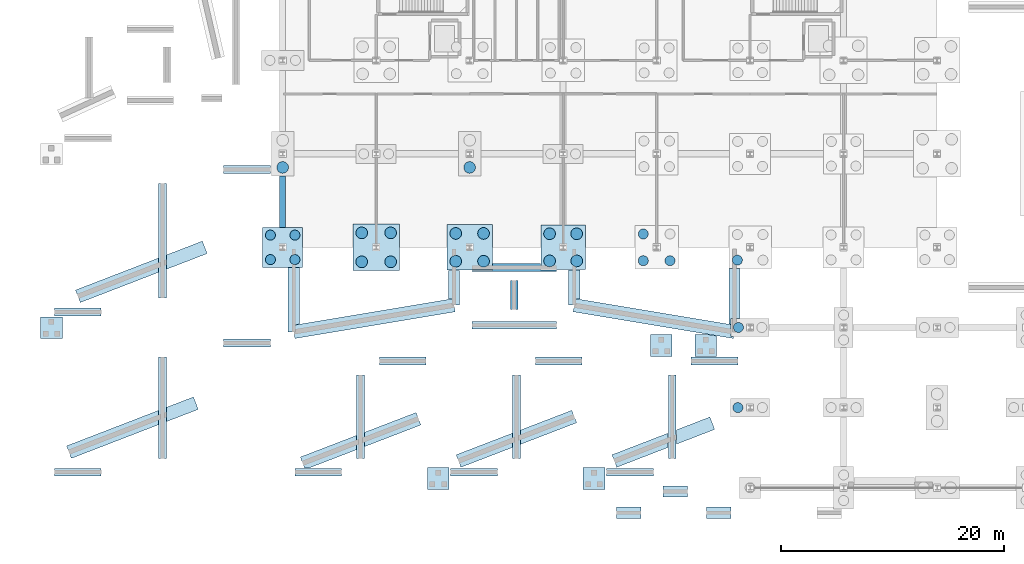
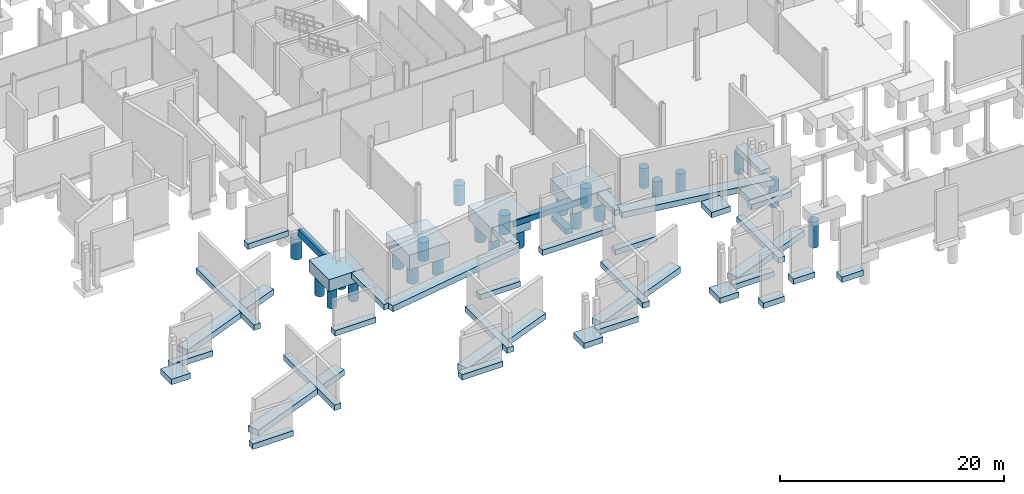
# One storey, part 1 of 61: 47 footings, 24 piles.
"""IFC4 building model written with IfcOpenShell, lengths in metres."""

import ifcopenshell
import ifcopenshell.guid

model = None  # the IFC model being written
_history = None  # IfcOwnerHistory: only IFC2X3 demands one
_inside = {}  # id of a spatial element -> (the spatial element, [elements in it])
_under = {}  # id of a project, library or spatial element -> (it, [spatial elements below it])
_declared = {}  # id of a project -> (the project, [libraries it declares])
_typed = {}  # id of a type object -> (the type object, [elements of that type])
_made_of = {}  # id of a material, layer set ... -> (it, [elements and type objects made of it])


def new_model(schema):
    """Start an empty IFC model of exactly this schema.

    Asked for "IFC4X3", IfcOpenShell would pick the latest addendum, in which some entities
    have other attributes; the version numbers below select the first issue.
    IFC2X3 requires an IfcOwnerHistory on every rooted entity: one is made here for all.
    """
    global model, _history
    if schema == "IFC4X3":
        model = ifcopenshell.file(schema_version=(4, 3, 0, 0))
    else:
        model = ifcopenshell.file(schema=schema)
    _inside.clear()
    _under.clear()
    _declared.clear()
    _typed.clear()
    _made_of.clear()
    _history = None
    if model.schema == "IFC2X3":
        org = make("IfcOrganization", Name="unknown")
        user = make(
            "IfcPersonAndOrganization",
            ThePerson=make("IfcPerson", FamilyName="unknown"),
            TheOrganization=org,
        )
        app = make(
            "IfcApplication",
            ApplicationDeveloper=org,
            Version="unknown",
            ApplicationFullName="unknown",
            ApplicationIdentifier="unknown",
        )
        _history = make(
            "IfcOwnerHistory",
            OwningUser=user,
            OwningApplication=app,
            ChangeAction="ADDED",
            CreationDate=0,
        )
    return model


def make(cls, **values):
    """One entity of the class cls with the attributes given. An attribute that is None is left unset."""
    return model.create_entity(
        cls, **{name: value for name, value in values.items() if value is not None}
    )


def rooted(cls, **values):
    """An entity with a GlobalId (a new one), such as an element, a storey or a relation."""
    return make(cls, GlobalId=ifcopenshell.guid.new(), OwnerHistory=_history, **values)


def si_unit(unit_type, name, prefix=None):
    """IfcSIUnit, for example si_unit("LENGTHUNIT", "METRE", prefix="MILLI")."""
    return make("IfcSIUnit", UnitType=unit_type, Prefix=prefix, Name=name)


def assignment(units):
    """IfcUnitAssignment: the units of a project."""
    return None if units is None else make("IfcUnitAssignment", Units=units)


def point(xyz):
    """IfcCartesianPoint."""
    return None if xyz is None else make("IfcCartesianPoint", Coordinates=xyz)


def direction(xyz):
    """IfcDirection."""
    return None if xyz is None else make("IfcDirection", DirectionRatios=xyz)


def frame(location, z_axis=None, x_axis=None):
    """IfcAxis2Placement3D, a coordinate frame: its origin and axes. An axis left out is left unset."""
    return make(
        "IfcAxis2Placement3D",
        Location=point(location),
        Axis=direction(z_axis),
        RefDirection=direction(x_axis),
    )


def frame_2d(location, x_axis=None):
    """IfcAxis2Placement2D, a coordinate frame in the plane: its origin and x axis."""
    return make(
        "IfcAxis2Placement2D", Location=point(location), RefDirection=direction(x_axis)
    )


def origin():
    """The frame at (0, 0, 0) with its axes left unset."""
    return frame((0.0, 0.0, 0.0))


def origin_2d():
    """The frame at (0, 0) in the plane with its x axis left unset."""
    return frame_2d((0.0, 0.0))


def place(relative_to, where):
    """IfcLocalPlacement: puts the frame where relative to a parent placement (None: the world)."""
    return make(
        "IfcLocalPlacement", PlacementRelTo=relative_to, RelativePlacement=where
    )


def context(
    kind, dimensions, precision=None, world=None, true_north=None, identifier=None
):
    """IfcGeometricRepresentationContext, for example the 3D "Model" context."""
    return make(
        "IfcGeometricRepresentationContext",
        ContextIdentifier=identifier,
        ContextType=kind,
        CoordinateSpaceDimension=dimensions,
        Precision=precision,
        WorldCoordinateSystem=world,
        TrueNorth=true_north,
    )


def subcontext(parent, identifier, kind, view, scale=None):
    """IfcGeometricRepresentationSubContext, for example "Body" below "Model"."""
    return make(
        "IfcGeometricRepresentationSubContext",
        ContextIdentifier=identifier,
        ContextType=kind,
        ParentContext=parent,
        TargetScale=scale,
        TargetView=view,
    )


def project(units=None, contexts=None):
    """IfcProject with its units and contexts."""
    return rooted(
        "IfcProject",
        Name="project",
        RepresentationContexts=contexts,
        UnitsInContext=assignment(units),
    )


def spatial(cls, under=None, at=None, **own):
    """A site, building, storey or space (cls), placed at a placement, below another one or the project."""
    s = rooted(cls, ObjectPlacement=at, **own)
    if under is not None:
        _under.setdefault(under.id(), (under, []))[1].append(s)
    return s


def polyline(points):
    """IfcPolyline through the points."""
    return make("IfcPolyline", Points=[point(p) for p in points])


def profile(cls, at=None, kind="AREA", **sizes):
    """A parametric profile (cls). Its sizes go by their IFC names, for example OverallWidth=200.0."""
    return make(cls, ProfileType=kind, Position=at, **sizes)


def rectangle(**sizes):
    """IfcRectangleProfileDef."""
    return profile("IfcRectangleProfileDef", **sizes)


def circle(**sizes):
    """IfcCircleProfileDef."""
    return profile("IfcCircleProfileDef", **sizes)


def outline(outer, holes=None, kind="AREA"):
    """IfcArbitraryClosedProfileDef: a profile drawn as a closed curve; with holes, ...WithVoids."""
    if holes is None:
        return make("IfcArbitraryClosedProfileDef", ProfileType=kind, OuterCurve=outer)
    return make(
        "IfcArbitraryProfileDefWithVoids",
        ProfileType=kind,
        OuterCurve=outer,
        InnerCurves=holes,
    )


def extrude(swept, where, along, depth):
    """IfcExtrudedAreaSolid: the profile swept, set in the frame where, extruded along a direction by depth."""
    return make(
        "IfcExtrudedAreaSolid",
        SweptArea=swept,
        Position=where,
        ExtrudedDirection=direction(along),
        Depth=depth,
    )


def shape(context_of_items, identifier, shape_type, items):
    """IfcShapeRepresentation: the items that make up one representation, for example the "Body"."""
    return make(
        "IfcShapeRepresentation",
        ContextOfItems=context_of_items,
        RepresentationIdentifier=identifier,
        RepresentationType=shape_type,
        Items=items,
    )


def material(Name=None, Category=None):
    """IfcMaterial."""
    return make("IfcMaterial", Name=Name, Category=Category)


def material_profile(
    of_material, cross_section, Name=None, Category=None, Priority=None
):
    """IfcMaterialProfile: a cross section and its material."""
    return make(
        "IfcMaterialProfile",
        Name=Name,
        Material=of_material,
        Profile=cross_section,
        Priority=Priority,
        Category=Category,
    )


def profile_set(profiles, Name=None, composite=None):
    """IfcMaterialProfileSet."""
    return make(
        "IfcMaterialProfileSet",
        Name=Name,
        MaterialProfiles=profiles,
        CompositeProfile=composite,
    )


def made_of(thing, what):
    """Note that an element or type object is made of a material, layer set ...; save() writes the relation."""
    if what is not None:
        _made_of.setdefault(what.id(), (what, []))[1].append(thing)
    return thing


def type_object(cls, material=None, **own):
    """A type object (cls), such as IfcWallType, which elements share."""
    return made_of(rooted(cls, **own), material)


def element(
    cls,
    number,
    at=None,
    inside=None,
    cuts=None,
    type_object=None,
    material=None,
    context=None,
    identifier="Body",
    shape_type=None,
    held_by="IfcProductDefinitionShape",
    body=None,
    shapes=None,
    **own,
):
    """One element of the class cls, such as IfcWall. Its Tag is "e" and its number.

    at: its placement. inside: the storey or other place that contains it. cuts: it is an
    opening in that element (IfcRelVoidsElement). A single representation is given by context,
    identifier, shape_type and body (its items); several are given by shapes. held_by: the class
    of the entity that holds the representations. save() writes the other relations.
    """
    e = rooted(cls, Tag="e%d" % number, ObjectPlacement=at, **own)
    if body is not None:
        shapes = [shape(context, identifier, shape_type, body)]
    if shapes is not None:
        e.Representation = make(held_by, Representations=shapes)
    if inside is not None:
        _inside.setdefault(inside.id(), (inside, []))[1].append(e)
    if cuts is not None:
        rooted(
            "IfcRelVoidsElement", RelatingBuildingElement=cuts, RelatedOpeningElement=e
        )
    if type_object is not None:
        _typed.setdefault(type_object.id(), (type_object, []))[1].append(e)
    return made_of(e, material)


def aggregate(whole, parts):
    """IfcRelAggregates: a whole, such as a stair, and the parts it consists of."""
    return rooted("IfcRelAggregates", RelatingObject=whole, RelatedObjects=parts)


def save(model, path):
    """Write the relations noted so far, then the file.

    IfcRelAggregates (storeys below a building ...), IfcRelContainedInSpatialStructure (elements
    in a storey), IfcRelDefinesByType, IfcRelAssociatesMaterial and IfcRelDeclares: one each for
    every whole, place, type object, material and project.
    """
    for whole, parts in _under.values():
        aggregate(whole, parts)
    for where, things in _inside.values():
        rooted(
            "IfcRelContainedInSpatialStructure",
            RelatedElements=things,
            RelatingStructure=where,
        )
    for kind, things in _typed.values():
        rooted("IfcRelDefinesByType", RelatedObjects=things, RelatingType=kind)
    for what, things in _made_of.values():
        rooted("IfcRelAssociatesMaterial", RelatedObjects=things, RelatingMaterial=what)
    for by, libraries in _declared.values():
        rooted("IfcRelDeclares", RelatingContext=by, RelatedDefinitions=libraries)
    model.write(path)


model = new_model("IFC4")

# Units and contexts
model_context = context("Model", 3, precision=1e-05, world=origin(), true_north=direction((0.0, 1.0)))
body_context = subcontext(model_context, "Body", "Model", "MODEL_VIEW")
ifc_project = project(units=[si_unit("LENGTHUNIT", "METRE"), si_unit("AREAUNIT", "SQUARE_METRE"), si_unit("VOLUMEUNIT", "CUBIC_METRE"), si_unit("PLANEANGLEUNIT", "RADIAN"), si_unit("MASSUNIT", "GRAM", prefix="KILO")], contexts=[model_context])

# Site, building, storey
site_placement = place(None, origin())
site = spatial("IfcSite", under=ifc_project, at=site_placement, CompositionType="ELEMENT")
building_placement = place(site_placement, origin())
building = spatial("IfcBuilding", under=site, at=building_placement, Name="Calvrana Isthmian Art Gallery", CompositionType="ELEMENT")
storey_placement = place(building_placement, frame((0.0, 0.0, -5.39990234375)))
storey = spatial("IfcBuildingStorey", under=building, at=storey_placement, Name="B1", CompositionType="ELEMENT", Elevation=-5.39990234375)

# Footings
ifc_material = material(Name="Concrete C35/45", Category="concrete")
footing_type_1 = type_object("IfcFootingType", Name="FT-PAD-RAMP", PredefinedType="PAD_FOOTING", material=ifc_material)
footing_1_placement = place(storey_placement, frame((0.0, 0.0, -1.050048828125)))
element("IfcFooting", 1, at=footing_1_placement, inside=storey, type_object=footing_type_1, Name="Ramp RMP-01 landing pad footing", PredefinedType="PAD_FOOTING", context=body_context, shape_type="SweptSolid", body=[
    extrude(outline(polyline([(1.800048828125, 13.39990234375), (1.800048828125, 15.35009765625), (-0.14990234375, 15.35009765625), (-0.14990234375, 13.39990234375), (1.800048828125, 13.39990234375)])), origin(), (0.0, 0.0, 1.0), 0.599853515625),
])
footing_2_placement = place(storey_placement, frame((0.0, 0.0, -1.050048828125)))
element("IfcFooting", 2, at=footing_2_placement, inside=storey, type_object=footing_type_1, Name="Ramp RMP-03 landing pad footing", PredefinedType="PAD_FOOTING", context=body_context, shape_type="SweptSolid", body=[
    extrude(outline(polyline([(36.550048828125, -0.14990234375), (36.550048828125, 1.800048828125), (34.60009765625, 1.800048828125), (34.60009765625, -0.14990234375), (36.550048828125, -0.14990234375)])), origin(), (0.0, 0.0, 1.0), 0.599853515625),
])
footing_3_placement = place(storey_placement, frame((0.0, 0.0, -1.050048828125)))
element("IfcFooting", 3, at=footing_3_placement, inside=storey, type_object=footing_type_1, Name="Ramp RMP-04 landing pad footing", PredefinedType="PAD_FOOTING", context=body_context, shape_type="SweptSolid", body=[
    extrude(outline(polyline([(50.550048828125, -0.14990234375), (50.550048828125, 1.800048828125), (48.60009765625, 1.800048828125), (48.60009765625, -0.14990234375), (50.550048828125, -0.14990234375)])), origin(), (0.0, 0.0, 1.0), 0.599853515625),
])
footing_4_placement = place(storey_placement, frame((0.0, 0.0, -1.050048828125)))
element("IfcFooting", 4, at=footing_4_placement, inside=storey, type_object=footing_type_1, Name="Ramp RMP-05 landing pad footing", PredefinedType="PAD_FOOTING", context=body_context, shape_type="SweptSolid", body=[
    extrude(outline(polyline([(60.60009765625, 11.800048828125), (58.64990234375, 11.800048828125), (58.64990234375, 13.75), (59.928955078125, 13.75), (60.60009765625, 13.63818359375), (60.60009765625, 11.800048828125)])), origin(), (0.0, 0.0, 1.0), 0.599853515625),
])
footing_5_placement = place(storey_placement, frame((0.0, 0.0, -1.050048828125)))
element("IfcFooting", 5, at=footing_5_placement, inside=storey, type_object=footing_type_1, Name="Ramp RMP-06 landing pad footing", PredefinedType="PAD_FOOTING", context=body_context, shape_type="SweptSolid", body=[
    extrude(outline(polyline([(56.60009765625, 11.800048828125), (56.60009765625, 13.75), (54.64990234375, 13.75), (54.64990234375, 11.800048828125), (56.60009765625, 11.800048828125)])), origin(), (0.0, 0.0, 1.0), 0.599853515625),
])
footing_type_2 = type_object("IfcFootingType", Name="FT-PC-360X360X130", PredefinedType="PILE_CAP", material=ifc_material)
footing_6_placement = place(storey_placement, frame((21.60009765625, 21.60009765625, -1.75), z_axis=(0.0, 0.0, 1.0), x_axis=(1.0, 0.0, 0.0)))
element("IfcFooting", 6, at=footing_6_placement, inside=storey, type_object=footing_type_2, Name="Pile cap 04/D", PredefinedType="PILE_CAP", context=body_context, shape_type="SweptSolid", body=[
    extrude(rectangle(XDim=3.60009765625, YDim=3.60009765625, at=origin_2d()), origin(), (0.0, 0.0, 1.0), 1.300048828125),
])
footing_type_3 = type_object("IfcFootingType", Name="FT-PC-400X400X150", PredefinedType="PILE_CAP", material=ifc_material)
footing_7_placement = place(storey_placement, frame((46.800048828125, 21.60009765625, -1.9501953125), z_axis=(0.0, 0.0, 1.0), x_axis=(1.0, 0.0, 0.0)))
element("IfcFooting", 7, at=footing_7_placement, inside=storey, type_object=footing_type_3, Name="Pile cap 07/D", PredefinedType="PILE_CAP", context=body_context, shape_type="SweptSolid", body=[
    extrude(rectangle(XDim=4.0, YDim=4.0, at=origin_2d()), origin(), (0.0, 0.0, 1.0), 1.5),
])
footing_type_4 = type_object("IfcFootingType", Name="FT-PC-410X410X155", PredefinedType="PILE_CAP", material=ifc_material)
footing_8_placement = place(storey_placement, frame((38.39990234375, 21.60009765625, -2.0), z_axis=(0.0, 0.0, 1.0), x_axis=(1.0, 0.0, 0.0)))
element("IfcFooting", 8, at=footing_8_placement, inside=storey, type_object=footing_type_4, Name="Pile cap 06/D", PredefinedType="PILE_CAP", context=body_context, shape_type="SweptSolid", body=[
    extrude(rectangle(XDim=4.10009765625, YDim=4.10009765625, at=origin_2d()), origin(), (0.0, 0.0, 1.0), 1.550048828125),
])
footing_type_5 = type_object("IfcFootingType", Name="FT-PC-420X420X160", PredefinedType="PILE_CAP", material=ifc_material)
footing_9_placement = place(storey_placement, frame((30.0, 21.60009765625, -2.050048828125), z_axis=(0.0, 0.0, 1.0), x_axis=(1.0, 0.0, 0.0)))
element("IfcFooting", 9, at=footing_9_placement, inside=storey, type_object=footing_type_5, Name="Pile cap 05/D", PredefinedType="PILE_CAP", context=body_context, shape_type="SweptSolid", body=[
    extrude(rectangle(XDim=4.199951171875, YDim=4.199951171875, at=origin_2d()), origin(), (0.0, 0.0, 1.0), 1.60009765625),
])
footing_type_6 = type_object("IfcFootingType", Name="FT-SF-1000X600", PredefinedType="STRIP_FOOTING", material=ifc_material)
footing_10_placement = place(storey_placement, frame((0.0, 0.0, -1.050048828125)))
element("IfcFooting", 10, at=footing_10_placement, inside=storey, type_object=footing_type_6, Name="Hillside court support wall COURT_STEP_1-S strip footing", PredefinedType="STRIP_FOOTING", context=body_context, shape_type="SweptSolid", body=[
    extrude(outline(polyline([(1.10009765625, 1.050048828125), (5.300048828125, 1.050048828125), (5.300048828125, 1.75), (1.10009765625, 1.75), (1.10009765625, 1.050048828125)])), origin(), (0.0, 0.0, 1.0), 0.599853515625),
])
footing_11_placement = place(storey_placement, frame((0.0, 0.0, -1.050048828125)))
element("IfcFooting", 11, at=footing_11_placement, inside=storey, type_object=footing_type_6, Name="Hillside court support wall COURT_STEP_1-N strip footing", PredefinedType="STRIP_FOOTING", context=body_context, shape_type="SweptSolid", body=[
    extrude(outline(polyline([(16.300048828125, 12.64990234375), (20.5, 12.64990234375), (20.5, 13.35009765625), (16.300048828125, 13.35009765625), (16.300048828125, 12.64990234375)])), origin(), (0.0, 0.0, 1.0), 0.599853515625),
])
footing_12_placement = place(storey_placement, frame((0.0, 0.0, -1.050048828125)))
element("IfcFooting", 12, at=footing_12_placement, inside=storey, type_object=footing_type_6, Name="Hillside court support wall COURT_STEP_1-M strip footing", PredefinedType="STRIP_FOOTING", context=body_context, shape_type="SweptSolid", body=[
    extrude(outline(polyline([(11.14990234375, 2.64990234375), (11.14990234375, 11.75), (10.449951171875, 11.75), (10.449951171875, 2.64990234375), (11.14990234375, 2.64990234375)])), origin(), (0.0, 0.0, 1.0), 0.599853515625),
])
footing_13_placement = place(storey_placement, frame((0.0, 0.0, -1.050048828125)))
element("IfcFooting", 13, at=footing_13_placement, inside=storey, type_object=footing_type_6, Name="Hillside court support wall COURT_STEP_2W-S strip footing", PredefinedType="STRIP_FOOTING", context=body_context, shape_type="SweptSolid", body=[
    extrude(outline(polyline([(1.10009765625, 15.449951171875), (5.300048828125, 15.449951171875), (5.300048828125, 16.14990234375), (1.10009765625, 16.14990234375), (1.10009765625, 15.449951171875)])), origin(), (0.0, 0.0, 1.0), 0.599853515625),
])
footing_14_placement = place(storey_placement, frame((0.0, 0.0, -1.050048828125)))
element("IfcFooting", 14, at=footing_14_placement, inside=storey, type_object=footing_type_6, Name="Hillside court support wall COURT_STEP_2W-N strip footing", PredefinedType="STRIP_FOOTING", context=body_context, shape_type="SweptSolid", body=[
    extrude(outline(polyline([(16.300048828125, 28.25), (20.5, 28.25), (20.5, 28.949951171875), (16.300048828125, 28.949951171875), (16.300048828125, 28.25)])), origin(), (0.0, 0.0, 1.0), 0.599853515625),
])
footing_15_placement = place(storey_placement, frame((0.0, 0.0, -1.050048828125)))
element("IfcFooting", 15, at=footing_15_placement, inside=storey, type_object=footing_type_6, Name="Hillside court support wall COURT_STEP_2W-M strip footing", PredefinedType="STRIP_FOOTING", context=body_context, shape_type="SweptSolid", body=[
    extrude(outline(polyline([(11.14990234375, 17.050048828125), (11.14990234375, 27.35009765625), (10.449951171875, 27.35009765625), (10.449951171875, 17.050048828125), (11.14990234375, 17.050048828125)])), origin(), (0.0, 0.0, 1.0), 0.599853515625),
])
footing_16_placement = place(storey_placement, frame((0.0, 0.0, -1.050048828125)))
element("IfcFooting", 16, at=footing_16_placement, inside=storey, type_object=footing_type_6, Name="Hillside court support wall COURT_STEP_2S-S strip footing", PredefinedType="STRIP_FOOTING", context=body_context, shape_type="SweptSolid", body=[
    extrude(outline(polyline([(22.699951171875, 1.050048828125), (26.89990234375, 1.050048828125), (26.89990234375, 1.75), (22.699951171875, 1.75), (22.699951171875, 1.050048828125)])), origin(), (0.0, 0.0, 1.0), 0.599853515625),
])
footing_17_placement = place(storey_placement, frame((0.0, 0.0, -1.050048828125)))
element("IfcFooting", 17, at=footing_17_placement, inside=storey, type_object=footing_type_6, Name="Hillside court support wall COURT_STEP_2S-N strip footing", PredefinedType="STRIP_FOOTING", context=body_context, shape_type="SweptSolid", body=[
    extrude(outline(polyline([(30.300048828125, 11.050048828125), (34.5, 11.050048828125), (34.5, 11.75), (30.300048828125, 11.75), (30.300048828125, 11.050048828125)])), origin(), (0.0, 0.0, 1.0), 0.599853515625),
])
footing_18_placement = place(storey_placement, frame((0.0, 0.0, -1.050048828125)))
element("IfcFooting", 18, at=footing_18_placement, inside=storey, type_object=footing_type_6, Name="Hillside court support wall COURT_STEP_2S-M strip footing", PredefinedType="STRIP_FOOTING", context=body_context, shape_type="SweptSolid", body=[
    extrude(outline(polyline([(28.949951171875, 2.64990234375), (28.949951171875, 10.14990234375), (28.25, 10.14990234375), (28.25, 2.64990234375), (28.949951171875, 2.64990234375)])), origin(), (0.0, 0.0, 1.0), 0.599853515625),
])
footing_19_placement = place(storey_placement, frame((0.0, 0.0, -1.050048828125)))
element("IfcFooting", 19, at=footing_19_placement, inside=storey, type_object=footing_type_6, Name="Hillside court support wall COURT_STEP_3S-S strip footing", PredefinedType="STRIP_FOOTING", context=body_context, shape_type="SweptSolid", body=[
    extrude(outline(polyline([(36.699951171875, 1.050048828125), (40.89990234375, 1.050048828125), (40.89990234375, 1.75), (36.699951171875, 1.75), (36.699951171875, 1.050048828125)])), origin(), (0.0, 0.0, 1.0), 0.599853515625),
])
footing_20_placement = place(storey_placement, frame((0.0, 0.0, -1.050048828125)))
element("IfcFooting", 20, at=footing_20_placement, inside=storey, type_object=footing_type_6, Name="Hillside court support wall COURT_STEP_3S-N strip footing", PredefinedType="STRIP_FOOTING", context=body_context, shape_type="SweptSolid", body=[
    extrude(outline(polyline([(44.300048828125, 11.050048828125), (48.5, 11.050048828125), (48.5, 11.75), (44.300048828125, 11.75), (44.300048828125, 11.050048828125)])), origin(), (0.0, 0.0, 1.0), 0.599853515625),
])
footing_21_placement = place(storey_placement, frame((0.0, 0.0, -1.050048828125)))
element("IfcFooting", 21, at=footing_21_placement, inside=storey, type_object=footing_type_6, Name="Hillside court support wall COURT_STEP_3S-M strip footing", PredefinedType="STRIP_FOOTING", context=body_context, shape_type="SweptSolid", body=[
    extrude(outline(polyline([(42.949951171875, 2.64990234375), (42.949951171875, 10.14990234375), (42.25, 10.14990234375), (42.25, 2.64990234375), (42.949951171875, 2.64990234375)])), origin(), (0.0, 0.0, 1.0), 0.599853515625),
])
footing_22_placement = place(storey_placement, frame((0.0, 0.0, -1.050048828125)))
element("IfcFooting", 22, at=footing_22_placement, inside=storey, type_object=footing_type_6, Name="Hillside court support wall COURT_STEP_4S-S strip footing", PredefinedType="STRIP_FOOTING", context=body_context, shape_type="SweptSolid", body=[
    extrude(outline(polyline([(50.699951171875, 1.050048828125), (54.89990234375, 1.050048828125), (54.89990234375, 1.75), (50.699951171875, 1.75), (50.699951171875, 1.050048828125)])), origin(), (0.0, 0.0, 1.0), 0.599853515625),
])
footing_23_placement = place(storey_placement, frame((0.0, 0.0, -1.050048828125)))
element("IfcFooting", 23, at=footing_23_placement, inside=storey, type_object=footing_type_6, Name="Hillside court support wall COURT_STEP_4S-N strip footing", PredefinedType="STRIP_FOOTING", context=body_context, shape_type="SweptSolid", body=[
    extrude(outline(polyline([(58.300048828125, 11.050048828125), (62.5, 11.050048828125), (62.5, 11.75), (58.300048828125, 11.75), (58.300048828125, 11.050048828125)])), origin(), (0.0, 0.0, 1.0), 0.599853515625),
])
footing_24_placement = place(storey_placement, frame((0.0, 0.0, -1.050048828125)))
element("IfcFooting", 24, at=footing_24_placement, inside=storey, type_object=footing_type_6, Name="Hillside court support wall COURT_STEP_4S-M strip footing", PredefinedType="STRIP_FOOTING", context=body_context, shape_type="SweptSolid", body=[
    extrude(outline(polyline([(56.949951171875, 2.64990234375), (56.949951171875, 10.14990234375), (56.25, 10.14990234375), (56.25, 2.64990234375), (56.949951171875, 2.64990234375)])), origin(), (0.0, 0.0, 1.0), 0.599853515625),
])
footing_25_placement = place(storey_placement, frame((0.0, 0.0, -1.050048828125)))
element("IfcFooting", 25, at=footing_25_placement, inside=storey, type_object=footing_type_6, Name="Hillside court support wall COURT_STEP_5S-S strip footing", PredefinedType="STRIP_FOOTING", context=body_context, shape_type="SweptSolid", body=[
    extrude(outline(polyline([(38.60009765625, 14.25), (46.199951171875, 14.25), (46.199951171875, 14.949951171875), (38.60009765625, 14.949951171875), (38.60009765625, 14.25)])), origin(), (0.0, 0.0, 1.0), 0.599853515625),
])
footing_26_placement = place(storey_placement, frame((0.0, 0.0, -1.050048828125)))
element("IfcFooting", 26, at=footing_26_placement, inside=storey, type_object=footing_type_6, Name="Hillside court support wall COURT_STEP_5S-N strip footing", PredefinedType="STRIP_FOOTING", context=body_context, shape_type="SweptSolid", body=[
    extrude(outline(polyline([(46.199951171875, 19.449951171875), (38.60009765625, 19.449951171875), (38.60009765625, 19.534912109375), (40.465087890625, 19.534912109375), (40.465087890625, 20.14990234375), (44.784912109375, 20.14990234375), (44.784912109375, 19.5849609375), (46.199951171875, 19.5849609375), (46.199951171875, 19.449951171875)])), origin(), (0.0, 0.0, 1.0), 0.599853515625),
])
footing_27_placement = place(storey_placement, frame((0.0, 0.0, -1.050048828125)))
element("IfcFooting", 27, at=footing_27_placement, inside=storey, type_object=footing_type_6, Name="Hillside court support wall COURT_STEP_5S-M strip footing", PredefinedType="STRIP_FOOTING", context=body_context, shape_type="SweptSolid", body=[
    extrude(outline(polyline([(42.75, 16.0), (42.75, 18.60009765625), (42.050048828125, 18.60009765625), (42.050048828125, 16.0), (42.75, 16.0)])), origin(), (0.0, 0.0, 1.0), 0.599853515625),
])
footing_28_placement = place(storey_placement, frame((0.0, 0.0, -1.050048828125)))
element("IfcFooting", 28, at=footing_28_placement, inside=storey, type_object=footing_type_6, Name="Sunken base return foundation wall PAV_EDU_SW-1 strip footing", PredefinedType="STRIP_FOOTING", context=body_context, shape_type="SweptSolid", body=[
    extrude(outline(polyline([(22.10009765625, 14.0), (22.10009765625, 19.784912109375), (23.10009765625, 19.784912109375), (23.10009765625, 14.706787109375), (22.484130859375, 14.60400390625), (22.584716796875, 14.0), (22.10009765625, 14.0)])), origin(), (0.0, 0.0, 1.0), 0.599853515625),
])
footing_29_placement = place(storey_placement, frame((0.0, 0.0, -1.050048828125)))
element("IfcFooting", 29, at=footing_29_placement, inside=storey, type_object=footing_type_6, Name="Sunken base return foundation wall PAV_EDU_SW-2 strip footing", PredefinedType="STRIP_FOOTING", context=body_context, shape_type="SweptSolid", body=[
    extrude(outline(polyline([(37.01513671875, 16.39990234375), (36.913818359375, 17.009033203125), (36.5, 16.940185546875), (36.5, 19.534912109375), (37.5, 19.534912109375), (37.5, 16.39990234375), (37.01513671875, 16.39990234375)])), origin(), (0.0, 0.0, 1.0), 0.599853515625),
])
footing_30_placement = place(storey_placement, frame((0.0, 0.0, -1.050048828125)))
element("IfcFooting", 30, at=footing_30_placement, inside=storey, type_object=footing_type_6, Name="Sunken base return foundation wall PAV_EDU_SE-1 strip footing", PredefinedType="STRIP_FOOTING", context=body_context, shape_type="SweptSolid", body=[
    extrude(outline(polyline([(47.300048828125, 16.39990234375), (47.300048828125, 19.5849609375), (48.300048828125, 19.5849609375), (48.300048828125, 16.940185546875), (47.88623046875, 17.009033203125), (47.784912109375, 16.39990234375), (47.300048828125, 16.39990234375)])), origin(), (0.0, 0.0, 1.0), 0.599853515625),
])
footing_31_placement = place(storey_placement, frame((0.0, 0.0, -1.050048828125)))
element("IfcFooting", 31, at=footing_31_placement, inside=storey, type_object=footing_type_6, Name="Sunken base return foundation wall PAV_EDU_SE-2 strip footing", PredefinedType="STRIP_FOOTING", context=body_context, shape_type="SweptSolid", body=[
    extrude(outline(polyline([(62.699951171875, 19.68505859375), (62.699951171875, 15.215087890625), (61.885009765625, 15.215087890625), (61.885009765625, 14.67578125), (61.699951171875, 14.706787109375), (61.699951171875, 19.68505859375), (62.699951171875, 19.68505859375)])), origin(), (0.0, 0.0, 1.0), 0.599853515625),
])
footing_32_placement = place(storey_placement, frame((0.0, 0.0, -1.050048828125)))
element("IfcFooting", 32, at=footing_32_placement, inside=storey, type_object=footing_type_6, Name="Apron grade wall SLB_APR_SW_BENCH-A strip footing", PredefinedType="STRIP_FOOTING", context=body_context, shape_type="SweptSolid", body=[
    extrude(outline(polyline([(51.580078125, -2.75), (53.780029296875, -2.75), (53.780029296875, -1.75), (51.580078125, -1.75), (51.580078125, -2.75)])), origin(), (0.0, 0.0, 1.0), 0.599853515625),
])
footing_33_placement = place(storey_placement, frame((0.0, 0.0, -1.050048828125)))
element("IfcFooting", 33, at=footing_33_placement, inside=storey, type_object=footing_type_6, Name="Apron grade wall SLB_APR_SW_BENCH-B strip footing", PredefinedType="STRIP_FOOTING", context=body_context, shape_type="SweptSolid", body=[
    extrude(outline(polyline([(55.780029296875, -0.85009765625), (57.97998046875, -0.85009765625), (57.97998046875, 0.14990234375), (55.780029296875, 0.14990234375), (55.780029296875, -0.85009765625)])), origin(), (0.0, 0.0, 1.0), 0.599853515625),
])
footing_34_placement = place(storey_placement, frame((0.0, 0.0, -1.050048828125)))
element("IfcFooting", 34, at=footing_34_placement, inside=storey, type_object=footing_type_6, Name="Apron grade wall SLB_APR_SW_BENCH-C strip footing", PredefinedType="STRIP_FOOTING", context=body_context, shape_type="SweptSolid", body=[
    extrude(outline(polyline([(59.699951171875, -2.75), (61.89990234375, -2.75), (61.89990234375, -1.75), (59.699951171875, -1.75), (59.699951171875, -2.75)])), origin(), (0.0, 0.0, 1.0), 0.599853515625),
])
footing_type_7 = type_object("IfcFootingType", Name="FT-SF-1200X650", PredefinedType="STRIP_FOOTING", material=ifc_material)
footing_35_placement = place(storey_placement, frame((0.0, 0.0, -1.10009765625)))
element("IfcFooting", 35, at=footing_35_placement, inside=storey, type_object=footing_type_7, Name="Angled base foundation wall ACW-01 strip footing", PredefinedType="STRIP_FOOTING", context=body_context, shape_type="SweptSolid", body=[
    extrude(outline(polyline([(22.698486328125, 13.408203125), (37.0986328125, 15.80810546875), (36.9013671875, 16.99169921875), (22.50146484375, 14.591796875), (22.698486328125, 13.408203125)])), origin(), (0.0, 0.0, 1.0), 0.64990234375),
])
footing_36_placement = place(storey_placement, frame((0.0, 0.0, -1.10009765625)))
element("IfcFooting", 36, at=footing_36_placement, inside=storey, type_object=footing_type_7, Name="Angled base foundation wall ACW-02 strip footing", PredefinedType="STRIP_FOOTING", context=body_context, shape_type="SweptSolid", body=[
    extrude(outline(polyline([(62.101318359375, 13.408203125), (47.701416015625, 15.80810546875), (47.898681640625, 16.99169921875), (61.885009765625, 14.66064453125), (61.885009765625, 13.5849609375), (62.130859375, 13.5849609375), (62.101318359375, 13.408203125)])), origin(), (0.0, 0.0, 1.0), 0.64990234375),
])
footing_37_placement = place(storey_placement, frame((0.0, 0.0, -1.10009765625)))
element("IfcFooting", 37, at=footing_37_placement, inside=storey, type_object=footing_type_7, Name="Angled court foundation wall ACW-04 strip footing", PredefinedType="STRIP_FOOTING", context=body_context, shape_type="SweptSolid", body=[
    extrude(outline(polyline([(2.615966796875, 2.64013671875), (2.18408203125, 3.759765625), (10.43505859375, 6.9443359375), (10.43505859375, 5.658203125), (2.615966796875, 2.64013671875)])), origin(), (0.0, 0.0, 1.0), 0.64990234375),
])
footing_38_placement = place(storey_placement, frame((0.0, 0.0, -1.10009765625)))
element("IfcFooting", 38, at=footing_38_placement, inside=storey, type_object=footing_type_7, Name="Angled court foundation wall ACW-04 strip footing part 2", PredefinedType="STRIP_FOOTING", context=body_context, shape_type="SweptSolid", body=[
    extrude(outline(polyline([(13.583984375, 8.159912109375), (14.01611328125, 7.040283203125), (11.1650390625, 5.939697265625), (11.1650390625, 7.226318359375), (13.583984375, 8.159912109375)])), origin(), (0.0, 0.0, 1.0), 0.64990234375),
])
footing_39_placement = place(storey_placement, frame((0.0, 0.0, -1.10009765625)))
element("IfcFooting", 39, at=footing_39_placement, inside=storey, type_object=footing_type_7, Name="Angled court foundation wall ACW-05 strip footing", PredefinedType="STRIP_FOOTING", context=body_context, shape_type="SweptSolid", body=[
    extrude(outline(polyline([(3.416015625, 16.64013671875), (2.98388671875, 17.759765625), (10.43505859375, 20.635498046875), (10.43505859375, 19.349365234375), (3.416015625, 16.64013671875)])), origin(), (0.0, 0.0, 1.0), 0.64990234375),
])
footing_40_placement = place(storey_placement, frame((0.0, 0.0, -1.10009765625)))
element("IfcFooting", 40, at=footing_40_placement, inside=storey, type_object=footing_type_7, Name="Angled court foundation wall ACW-05 strip footing part 2", PredefinedType="STRIP_FOOTING", context=body_context, shape_type="SweptSolid", body=[
    extrude(outline(polyline([(14.384033203125, 22.159912109375), (14.81591796875, 21.040283203125), (11.1650390625, 19.631103515625), (11.1650390625, 20.91748046875), (14.384033203125, 22.159912109375)])), origin(), (0.0, 0.0, 1.0), 0.64990234375),
])
footing_41_placement = place(storey_placement, frame((0.0, 0.0, -1.10009765625)))
element("IfcFooting", 41, at=footing_41_placement, inside=storey, type_object=footing_type_7, Name="Angled court foundation wall ACW-07 strip footing", PredefinedType="STRIP_FOOTING", context=body_context, shape_type="SweptSolid", body=[
    extrude(outline(polyline([(33.584716796875, 6.760009765625), (34.015380859375, 5.639892578125), (28.965087890625, 3.697509765625), (28.965087890625, 4.983154296875), (33.584716796875, 6.760009765625)])), origin(), (0.0, 0.0, 1.0), 0.64990234375),
])
footing_42_placement = place(storey_placement, frame((0.0, 0.0, -1.10009765625)))
element("IfcFooting", 42, at=footing_42_placement, inside=storey, type_object=footing_type_7, Name="Angled court foundation wall ACW-07 strip footing part 2", PredefinedType="STRIP_FOOTING", context=body_context, shape_type="SweptSolid", body=[
    extrude(outline(polyline([(28.235107421875, 4.702392578125), (28.235107421875, 3.416748046875), (23.9404296875, 1.764892578125), (23.5673828125, 1.764892578125), (23.1845703125, 2.760009765625), (28.235107421875, 4.702392578125)])), origin(), (0.0, 0.0, 1.0), 0.64990234375),
])
footing_43_placement = place(storey_placement, frame((0.0, 0.0, -1.10009765625)))
element("IfcFooting", 43, at=footing_43_placement, inside=storey, type_object=footing_type_7, Name="Angled court foundation wall ACW-08 strip footing", PredefinedType="STRIP_FOOTING", context=body_context, shape_type="SweptSolid", body=[
    extrude(outline(polyline([(47.584716796875, 6.9599609375), (48.015380859375, 5.840087890625), (42.965087890625, 3.8974609375), (42.965087890625, 5.18310546875), (47.584716796875, 6.9599609375)])), origin(), (0.0, 0.0, 1.0), 0.64990234375),
])
footing_44_placement = place(storey_placement, frame((0.0, 0.0, -1.10009765625)))
element("IfcFooting", 44, at=footing_44_placement, inside=storey, type_object=footing_type_7, Name="Angled court foundation wall ACW-08 strip footing part 2", PredefinedType="STRIP_FOOTING", context=body_context, shape_type="SweptSolid", body=[
    extrude(outline(polyline([(37.615478515625, 1.840087890625), (37.1845703125, 2.9599609375), (42.235107421875, 4.902587890625), (42.235107421875, 3.61669921875), (37.615478515625, 1.840087890625)])), origin(), (0.0, 0.0, 1.0), 0.64990234375),
])
footing_45_placement = place(storey_placement, frame((0.0, 0.0, -1.10009765625)))
element("IfcFooting", 45, at=footing_45_placement, inside=storey, type_object=footing_type_7, Name="Angled court foundation wall ACW-09 strip footing", PredefinedType="STRIP_FOOTING", context=body_context, shape_type="SweptSolid", body=[
    extrude(outline(polyline([(51.6162109375, 1.84033203125), (51.183837890625, 2.959716796875), (56.235107421875, 4.911376953125), (56.235107421875, 3.624755859375), (51.6162109375, 1.84033203125)])), origin(), (0.0, 0.0, 1.0), 0.64990234375),
])
footing_46_placement = place(storey_placement, frame((0.0, 0.0, -1.10009765625)))
element("IfcFooting", 46, at=footing_46_placement, inside=storey, type_object=footing_type_7, Name="Angled court foundation wall ACW-09 strip footing part 2", PredefinedType="STRIP_FOOTING", context=body_context, shape_type="SweptSolid", body=[
    extrude(outline(polyline([(59.98388671875, 6.359619140625), (60.416259765625, 5.240234375), (56.965087890625, 3.906982421875), (56.965087890625, 5.193359375), (59.98388671875, 6.359619140625)])), origin(), (0.0, 0.0, 1.0), 0.64990234375),
])
footing_type_8 = type_object("IfcFootingType", Name="FT-TB-550X750", PredefinedType="FOOTING_BEAM", material=ifc_material)
footing_47_placement = place(storey_placement, frame((0.0, 0.0, -1.2001953125)))
element("IfcFooting", 47, at=footing_47_placement, inside=storey, type_object=footing_type_8, Name="Footing tie beam Y 03-03", PredefinedType="FOOTING_BEAM", context=body_context, shape_type="SweptSolid", body=[
    extrude(outline(polyline([(21.324951171875, 23.39990234375), (21.875, 23.39990234375), (21.875, 28.0), (21.324951171875, 28.0), (21.324951171875, 23.39990234375)])), origin(), (0.0, 0.0, 1.0), 0.75),
])

# Piles
ifc_material_profile_1 = material_profile(ifc_material, circle(Radius=0.52490234375, at=origin_2d()), Name="PILE1050D")
ifc_profile_set_1 = profile_set([ifc_material_profile_1], Name="Concrete C35/45")
pile_type_1 = type_object("IfcPileType", Name="PILE-D1050", PredefinedType="BORED", material=ifc_profile_set_1)
pile_1_placement = place(storey_placement, frame((21.60009765625, 28.780029296875, -1.75), z_axis=(0.0, 0.0, -1.0), x_axis=(1.0, 0.0, 0.0)))
element("IfcPile", 48, at=pile_1_placement, inside=storey, type_object=pile_type_1, Name="Bored pile PL-060", PredefinedType="BORED", context=body_context, shape_type="SweptSolid", body=[
    extrude(circle(Radius=0.52490234375, at=origin_2d()), origin(), (0.0, 0.0, 1.0), 2.25),
])
for number, where, z_axis, x_axis, name in (
    (49, (28.699951171875, 20.300048828125, -1.9501953125), (0.0, 0.0, -1.0), (1.0, 0.0, 0.0), "Bored pile PL-080"),
    (50, (31.300048828125, 20.300048828125, -1.9501953125), (0.0, 0.0, -1.0), (1.0, 0.0, 0.0), "Bored pile PL-081"),
    (51, (28.699951171875, 22.89990234375, -1.9501953125), (0.0, 0.0, -1.0), (1.0, 0.0, 0.0), "Bored pile PL-082"),
    (52, (31.300048828125, 22.89990234375, -1.9501953125), (0.0, 0.0, -1.0), (1.0, 0.0, 0.0), "Bored pile PL-083"),
):
    element("IfcPile", number, at=place(storey_placement, frame(where, z_axis=z_axis, x_axis=x_axis)), inside=storey, type_object=pile_type_1, Name=name, PredefinedType="BORED", context=body_context, shape_type="SweptSolid", body=[
        extrude(circle(Radius=0.52490234375, at=origin_2d()), origin(), (0.0, 0.0, 1.0), 2.050048828125),
    ])
for number, where, z_axis, x_axis, name in (
    (53, (37.14990234375, 20.35009765625, -1.900146484375), (0.0, 0.0, -1.0), (1.0, 0.0, 0.0), "Bored pile PL-106"),
    (54, (39.64990234375, 20.35009765625, -1.900146484375), (0.0, 0.0, -1.0), (1.0, 0.0, 0.0), "Bored pile PL-107"),
    (55, (37.14990234375, 22.85009765625, -1.900146484375), (0.0, 0.0, -1.0), (1.0, 0.0, 0.0), "Bored pile PL-108"),
    (56, (39.64990234375, 22.85009765625, -1.900146484375), (0.0, 0.0, -1.0), (1.0, 0.0, 0.0), "Bored pile PL-109"),
):
    element("IfcPile", number, at=place(storey_placement, frame(where, z_axis=z_axis, x_axis=x_axis)), inside=storey, type_object=pile_type_1, Name=name, PredefinedType="BORED", context=body_context, shape_type="SweptSolid", body=[
        extrude(circle(Radius=0.52490234375, at=origin_2d()), origin(), (0.0, 0.0, 1.0), 2.10009765625),
    ])
pile_2_placement = place(storey_placement, frame((38.39990234375, 28.780029296875, -1.75), z_axis=(0.0, 0.0, -1.0), x_axis=(1.0, 0.0, 0.0)))
element("IfcPile", 57, at=pile_2_placement, inside=storey, type_object=pile_type_1, Name="Bored pile PL-110", PredefinedType="BORED", context=body_context, shape_type="SweptSolid", body=[
    extrude(circle(Radius=0.52490234375, at=origin_2d()), origin(), (0.0, 0.0, 1.0), 2.25),
])
for number, where, z_axis, x_axis, name in (
    (58, (45.580078125, 20.3798828125, -1.85009765625), (0.0, 0.0, -1.0), (1.0, 0.0, 0.0), "Bored pile PL-131"),
    (59, (48.02001953125, 20.3798828125, -1.85009765625), (0.0, 0.0, -1.0), (1.0, 0.0, 0.0), "Bored pile PL-132"),
    (60, (45.580078125, 22.820068359375, -1.85009765625), (0.0, 0.0, -1.0), (1.0, 0.0, 0.0), "Bored pile PL-133"),
    (61, (48.02001953125, 22.820068359375, -1.85009765625), (0.0, 0.0, -1.0), (1.0, 0.0, 0.0), "Bored pile PL-134"),
):
    element("IfcPile", number, at=place(storey_placement, frame(where, z_axis=z_axis, x_axis=x_axis)), inside=storey, type_object=pile_type_1, Name=name, PredefinedType="BORED", context=body_context, shape_type="SweptSolid", body=[
        extrude(circle(Radius=0.52490234375, at=origin_2d()), origin(), (0.0, 0.0, 1.0), 2.14990234375),
    ])
ifc_material_profile_2 = material_profile(ifc_material, circle(Radius=0.449951171875, at=origin_2d()), Name="PILE900D")
ifc_profile_set_2 = profile_set([ifc_material_profile_2], Name="Concrete C35/45")
pile_type_2 = type_object("IfcPileType", Name="PILE-D900", PredefinedType="BORED", material=ifc_profile_set_2)
for number, where, z_axis, x_axis, name in (
    (62, (20.5, 20.5, -1.650146484375), (0.0, 0.0, -1.0), (1.0, 0.0, 0.0), "Bored pile PL-056"),
    (63, (22.699951171875, 20.5, -1.650146484375), (0.0, 0.0, -1.0), (1.0, 0.0, 0.0), "Bored pile PL-057"),
    (64, (20.5, 22.699951171875, -1.650146484375), (0.0, 0.0, -1.0), (1.0, 0.0, 0.0), "Bored pile PL-058"),
    (65, (22.699951171875, 22.699951171875, -1.650146484375), (0.0, 0.0, -1.0), (1.0, 0.0, 0.0), "Bored pile PL-059"),
):
    element("IfcPile", number, at=place(storey_placement, frame(where, z_axis=z_axis, x_axis=x_axis)), inside=storey, type_object=pile_type_2, Name=name, PredefinedType="BORED", context=body_context, shape_type="SweptSolid", body=[
        extrude(circle(Radius=0.449951171875, at=origin_2d()), origin(), (0.0, 0.0, 1.0), 2.35009765625),
    ])
for number, where, z_axis, x_axis, name in (
    (66, (54.0, 20.39990234375, -1.800048828125), (0.0, 0.0, -1.0), (1.0, 0.0, 0.0), "Bored pile PL-151"),
    (67, (56.39990234375, 20.39990234375, -1.800048828125), (0.0, 0.0, -1.0), (1.0, 0.0, 0.0), "Bored pile PL-152"),
    (68, (54.0, 22.800048828125, -1.800048828125), (0.0, 0.0, -1.0), (1.0, 0.0, 0.0), "Bored pile PL-153"),
):
    element("IfcPile", number, at=place(storey_placement, frame(where, z_axis=z_axis, x_axis=x_axis)), inside=storey, type_object=pile_type_2, Name=name, PredefinedType="BORED", context=body_context, shape_type="SweptSolid", body=[
        extrude(circle(Radius=0.449951171875, at=origin_2d()), origin(), (0.0, 0.0, 1.0), 2.199951171875),
    ])
pile_3_placement = place(storey_placement, frame((62.5, 7.199951171875, -1.150146484375), z_axis=(0.0, 0.0, -1.0), x_axis=(1.0, 0.0, 0.0)))
element("IfcPile", 69, at=pile_3_placement, inside=storey, type_object=pile_type_2, Name="Bored pile PL-186", PredefinedType="BORED", context=body_context, shape_type="SweptSolid", body=[
    extrude(circle(Radius=0.449951171875, at=origin_2d()), origin(), (0.0, 0.0, 1.0), 2.85009765625),
])
pile_4_placement = place(storey_placement, frame((62.550048828125, 14.39990234375, -1.10009765625), z_axis=(0.0, 0.0, -1.0), x_axis=(1.0, 0.0, 0.0)))
element("IfcPile", 70, at=pile_4_placement, inside=storey, type_object=pile_type_2, Name="Bored pile PL-188", PredefinedType="BORED", context=body_context, shape_type="SweptSolid", body=[
    extrude(circle(Radius=0.449951171875, at=origin_2d()), origin(), (0.0, 0.0, 1.0), 2.89990234375),
])
pile_5_placement = place(storey_placement, frame((62.449951171875, 20.449951171875, -1.75), z_axis=(0.0, 0.0, -1.0), x_axis=(1.0, 0.0, 0.0)))
element("IfcPile", 71, at=pile_5_placement, inside=storey, type_object=pile_type_2, Name="Bored pile PL-190", PredefinedType="BORED", context=body_context, shape_type="SweptSolid", body=[
    extrude(circle(Radius=0.449951171875, at=origin_2d()), origin(), (0.0, 0.0, 1.0), 2.25),
])

save(model, "model.ifc")
